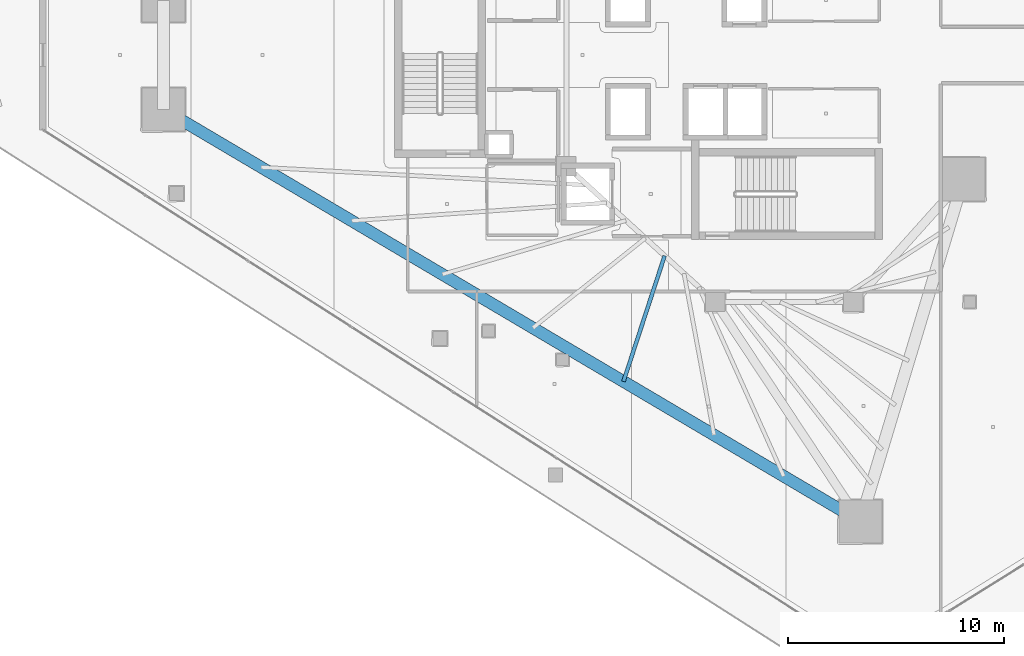
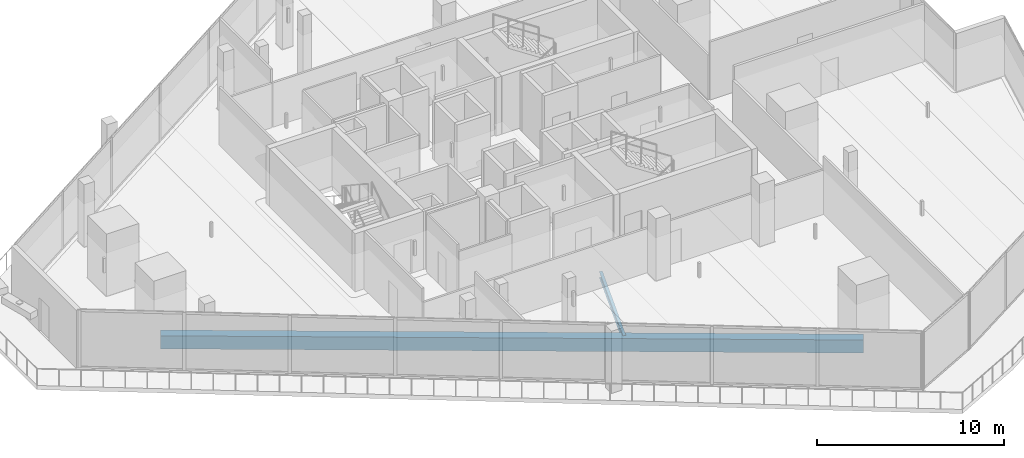
# One storey, part 4 of 36: 2 beams.
"""IFC4 building model written with IfcOpenShell, lengths in metres."""

from ifc_helpers import new_model, si_unit, direction, frame, origin, origin_2d, place, context, subcontext, project, spatial, rectangle, i_section, extrude, material, material_profile, profile_set, type_object, element, save


model = new_model("IFC4")

# Units and contexts
model_context = context("Model", 3, precision=1e-05, world=origin(), true_north=direction((0.0, 1.0)))
body_context = subcontext(model_context, "Body", "Model", "MODEL_VIEW")
ifc_project = project(units=[si_unit("LENGTHUNIT", "METRE"), si_unit("AREAUNIT", "SQUARE_METRE"), si_unit("VOLUMEUNIT", "CUBIC_METRE"), si_unit("PLANEANGLEUNIT", "RADIAN"), si_unit("MASSUNIT", "GRAM", prefix="KILO")], contexts=[model_context])

# Site, building, storey
site_placement = place(None, origin())
site = spatial("IfcSite", under=ifc_project, at=site_placement, CompositionType="ELEMENT")
building_placement = place(site_placement, origin())
building = spatial("IfcBuilding", under=site, at=building_placement, Name="Qorvath Tower", CompositionType="ELEMENT")
storey_placement = place(building_placement, frame((0.0, 0.0, 192.89990234375)))
storey = spatial("IfcBuildingStorey", under=building, at=storey_placement, Name="L44", CompositionType="ELEMENT", Elevation=192.89990234375)

# Beams
ifc_material_1 = material(Name="Steel ASTM A992 Grade 50", Category="steel")
ifc_material_profile_1 = material_profile(ifc_material_1, i_section(OverallWidth=0.177978515625, OverallDepth=0.406005859375, WebThickness=0.0078125, FlangeThickness=0.0126953125, FilletRadius=0.010986328125, at=origin_2d()), Name="W16x40")
ifc_profile_set_1 = profile_set([ifc_material_profile_1], Name="Steel ASTM A992 Grade 50")
beam_type_1 = type_object("IfcBeamType", Name="BM-FJ3", PredefinedType="JOIST", material=ifc_profile_set_1)
beam_1_placement = place(storey_placement, frame((-25.946044921875, -9.30810546875, -0.472900390625), z_axis=(-0.311228747452, -0.950335028692, 0.0), x_axis=(0.950335028692, -0.311228747452, 0.0)))
element("IfcBeam", 1, at=beam_1_placement, inside=storey, type_object=beam_type_1, Name="Composite Floor Joist SW5 L44", PredefinedType="JOIST", context=body_context, shape_type="SweptSolid", body=[
    extrude(i_section(OverallWidth=0.177978515625, OverallDepth=0.406005859375, WebThickness=0.0078125, FlangeThickness=0.0126953125, FilletRadius=0.010986328125, at=origin_2d()), origin(), (0.0, 0.0, 1.0), 6.129638671875),
])
ifc_material_2 = material(Name="Concrete C50/60", Category="concrete")
ifc_material_profile_2 = material_profile(ifc_material_2, rectangle(XDim=0.550048828125, YDim=0.85009765625, at=origin_2d()), Name="RCB 850x550")
ifc_profile_set_2 = profile_set([ifc_material_profile_2], Name="Concrete C50/60")
beam_type_2 = type_object("IfcBeamType", Name="BM-RCB2", PredefinedType="SPANDREL", material=ifc_profile_set_2)
beam_2_placement = place(storey_placement, frame((-49.171875, -2.52783203125, -0.695068359375), z_axis=(0.860776759786, -0.50898268125, 0.0), x_axis=(0.50898268125, 0.860776759786, 0.0)))
element("IfcBeam", 2, at=beam_2_placement, inside=storey, type_object=beam_type_2, Name="Perimeter Loggia Frame Beam MC2-MC3 L44", PredefinedType="SPANDREL", context=body_context, shape_type="SweptSolid", body=[
    extrude(rectangle(XDim=0.550048828125, YDim=0.85009765625, at=origin_2d()), origin(), (0.0, 0.0, 1.0), 37.524658203125),
])

save(model, "model.ifc")
